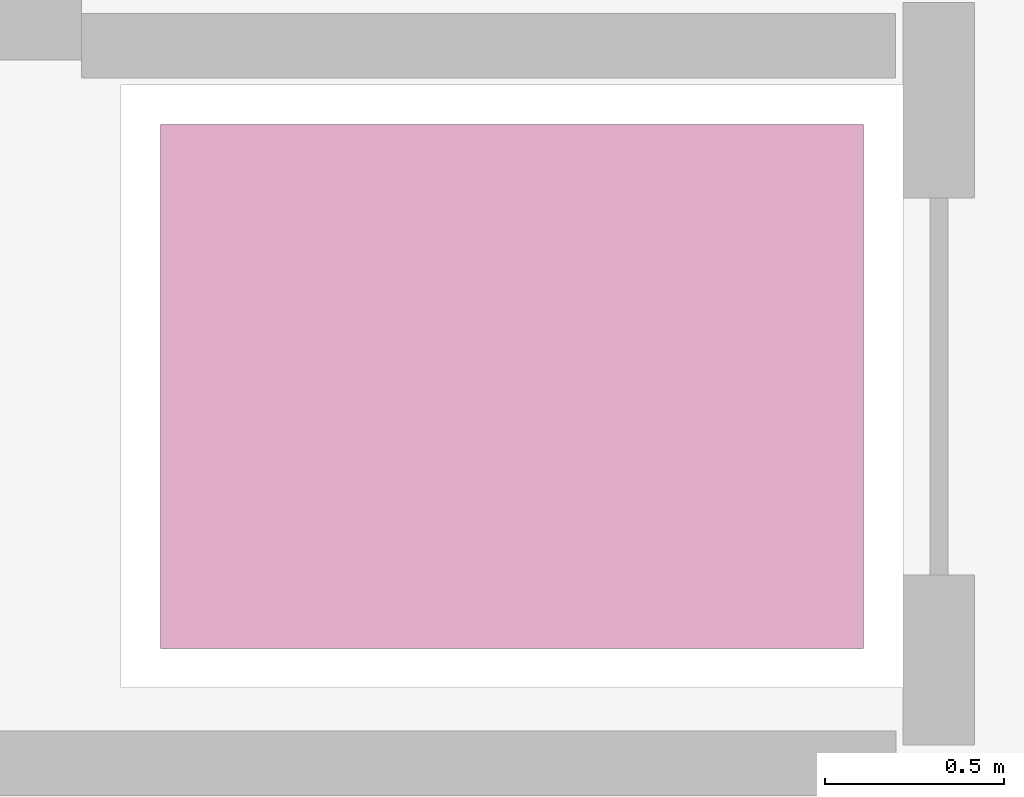
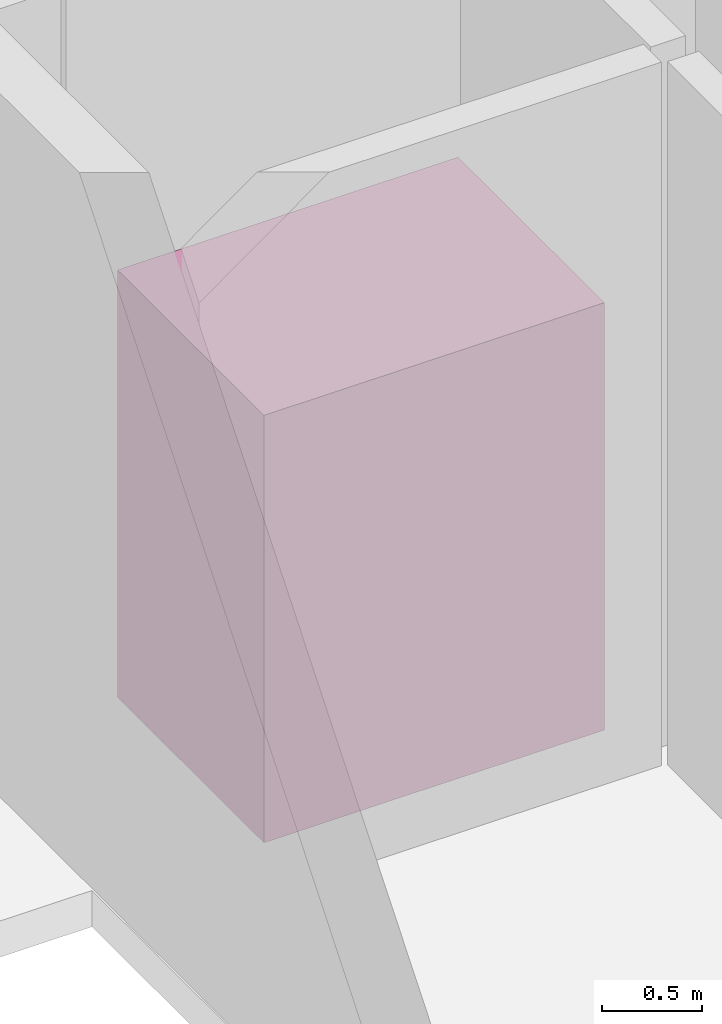
# One storey, part 14 of 14: 1 transport element.
"""IFC4 building model written with IfcOpenShell, lengths in metres."""

import ifcopenshell
import ifcopenshell.guid

model = None  # the IFC model being written
_history = None  # IfcOwnerHistory: only IFC2X3 demands one
_inside = {}  # id of a spatial element -> (the spatial element, [elements in it])
_under = {}  # id of a project, library or spatial element -> (it, [spatial elements below it])
_declared = {}  # id of a project -> (the project, [libraries it declares])
_typed = {}  # id of a type object -> (the type object, [elements of that type])
_made_of = {}  # id of a material, layer set ... -> (it, [elements and type objects made of it])


def new_model(schema):
    """Start an empty IFC model of exactly this schema.

    Asked for "IFC4X3", IfcOpenShell would pick the latest addendum, in which some entities
    have other attributes; the version numbers below select the first issue.
    IFC2X3 requires an IfcOwnerHistory on every rooted entity: one is made here for all.
    """
    global model, _history
    if schema == "IFC4X3":
        model = ifcopenshell.file(schema_version=(4, 3, 0, 0))
    else:
        model = ifcopenshell.file(schema=schema)
    _inside.clear()
    _under.clear()
    _declared.clear()
    _typed.clear()
    _made_of.clear()
    _history = None
    if model.schema == "IFC2X3":
        org = make("IfcOrganization", Name="unknown")
        user = make(
            "IfcPersonAndOrganization",
            ThePerson=make("IfcPerson", FamilyName="unknown"),
            TheOrganization=org,
        )
        app = make(
            "IfcApplication",
            ApplicationDeveloper=org,
            Version="unknown",
            ApplicationFullName="unknown",
            ApplicationIdentifier="unknown",
        )
        _history = make(
            "IfcOwnerHistory",
            OwningUser=user,
            OwningApplication=app,
            ChangeAction="ADDED",
            CreationDate=0,
        )
    return model


def make(cls, **values):
    """One entity of the class cls with the attributes given. An attribute that is None is left unset."""
    return model.create_entity(
        cls, **{name: value for name, value in values.items() if value is not None}
    )


def rooted(cls, **values):
    """An entity with a GlobalId (a new one), such as an element, a storey or a relation."""
    return make(cls, GlobalId=ifcopenshell.guid.new(), OwnerHistory=_history, **values)


def si_unit(unit_type, name, prefix=None):
    """IfcSIUnit, for example si_unit("LENGTHUNIT", "METRE", prefix="MILLI")."""
    return make("IfcSIUnit", UnitType=unit_type, Prefix=prefix, Name=name)


def assignment(units):
    """IfcUnitAssignment: the units of a project."""
    return None if units is None else make("IfcUnitAssignment", Units=units)


def point(xyz):
    """IfcCartesianPoint."""
    return None if xyz is None else make("IfcCartesianPoint", Coordinates=xyz)


def direction(xyz):
    """IfcDirection."""
    return None if xyz is None else make("IfcDirection", DirectionRatios=xyz)


def frame(location, z_axis=None, x_axis=None):
    """IfcAxis2Placement3D, a coordinate frame: its origin and axes. An axis left out is left unset."""
    return make(
        "IfcAxis2Placement3D",
        Location=point(location),
        Axis=direction(z_axis),
        RefDirection=direction(x_axis),
    )


def frame_2d(location, x_axis=None):
    """IfcAxis2Placement2D, a coordinate frame in the plane: its origin and x axis."""
    return make(
        "IfcAxis2Placement2D", Location=point(location), RefDirection=direction(x_axis)
    )


def origin():
    """The frame at (0, 0, 0) with its axes left unset."""
    return frame((0.0, 0.0, 0.0))


def origin_2d():
    """The frame at (0, 0) in the plane with its x axis left unset."""
    return frame_2d((0.0, 0.0))


def place(relative_to, where):
    """IfcLocalPlacement: puts the frame where relative to a parent placement (None: the world)."""
    return make(
        "IfcLocalPlacement", PlacementRelTo=relative_to, RelativePlacement=where
    )


def context(
    kind, dimensions, precision=None, world=None, true_north=None, identifier=None
):
    """IfcGeometricRepresentationContext, for example the 3D "Model" context."""
    return make(
        "IfcGeometricRepresentationContext",
        ContextIdentifier=identifier,
        ContextType=kind,
        CoordinateSpaceDimension=dimensions,
        Precision=precision,
        WorldCoordinateSystem=world,
        TrueNorth=true_north,
    )


def subcontext(parent, identifier, kind, view, scale=None):
    """IfcGeometricRepresentationSubContext, for example "Body" below "Model"."""
    return make(
        "IfcGeometricRepresentationSubContext",
        ContextIdentifier=identifier,
        ContextType=kind,
        ParentContext=parent,
        TargetScale=scale,
        TargetView=view,
    )


def project(units=None, contexts=None):
    """IfcProject with its units and contexts."""
    return rooted(
        "IfcProject",
        Name="project",
        RepresentationContexts=contexts,
        UnitsInContext=assignment(units),
    )


def spatial(cls, under=None, at=None, **own):
    """A site, building, storey or space (cls), placed at a placement, below another one or the project."""
    s = rooted(cls, ObjectPlacement=at, **own)
    if under is not None:
        _under.setdefault(under.id(), (under, []))[1].append(s)
    return s


def profile(cls, at=None, kind="AREA", **sizes):
    """A parametric profile (cls). Its sizes go by their IFC names, for example OverallWidth=200.0."""
    return make(cls, ProfileType=kind, Position=at, **sizes)


def rectangle(**sizes):
    """IfcRectangleProfileDef."""
    return profile("IfcRectangleProfileDef", **sizes)


def extrude(swept, where, along, depth):
    """IfcExtrudedAreaSolid: the profile swept, set in the frame where, extruded along a direction by depth."""
    return make(
        "IfcExtrudedAreaSolid",
        SweptArea=swept,
        Position=where,
        ExtrudedDirection=direction(along),
        Depth=depth,
    )


def shape(context_of_items, identifier, shape_type, items):
    """IfcShapeRepresentation: the items that make up one representation, for example the "Body"."""
    return make(
        "IfcShapeRepresentation",
        ContextOfItems=context_of_items,
        RepresentationIdentifier=identifier,
        RepresentationType=shape_type,
        Items=items,
    )


def material(Name=None, Category=None):
    """IfcMaterial."""
    return make("IfcMaterial", Name=Name, Category=Category)


def made_of(thing, what):
    """Note that an element or type object is made of a material, layer set ...; save() writes the relation."""
    if what is not None:
        _made_of.setdefault(what.id(), (what, []))[1].append(thing)
    return thing


def type_object(cls, material=None, **own):
    """A type object (cls), such as IfcWallType, which elements share."""
    return made_of(rooted(cls, **own), material)


def element(
    cls,
    number,
    at=None,
    inside=None,
    cuts=None,
    type_object=None,
    material=None,
    context=None,
    identifier="Body",
    shape_type=None,
    held_by="IfcProductDefinitionShape",
    body=None,
    shapes=None,
    **own,
):
    """One element of the class cls, such as IfcWall. Its Tag is "e" and its number.

    at: its placement. inside: the storey or other place that contains it. cuts: it is an
    opening in that element (IfcRelVoidsElement). A single representation is given by context,
    identifier, shape_type and body (its items); several are given by shapes. held_by: the class
    of the entity that holds the representations. save() writes the other relations.
    """
    e = rooted(cls, Tag="e%d" % number, ObjectPlacement=at, **own)
    if body is not None:
        shapes = [shape(context, identifier, shape_type, body)]
    if shapes is not None:
        e.Representation = make(held_by, Representations=shapes)
    if inside is not None:
        _inside.setdefault(inside.id(), (inside, []))[1].append(e)
    if cuts is not None:
        rooted(
            "IfcRelVoidsElement", RelatingBuildingElement=cuts, RelatedOpeningElement=e
        )
    if type_object is not None:
        _typed.setdefault(type_object.id(), (type_object, []))[1].append(e)
    return made_of(e, material)


def aggregate(whole, parts):
    """IfcRelAggregates: a whole, such as a stair, and the parts it consists of."""
    return rooted("IfcRelAggregates", RelatingObject=whole, RelatedObjects=parts)


def save(model, path):
    """Write the relations noted so far, then the file.

    IfcRelAggregates (storeys below a building ...), IfcRelContainedInSpatialStructure (elements
    in a storey), IfcRelDefinesByType, IfcRelAssociatesMaterial and IfcRelDeclares: one each for
    every whole, place, type object, material and project.
    """
    for whole, parts in _under.values():
        aggregate(whole, parts)
    for where, things in _inside.values():
        rooted(
            "IfcRelContainedInSpatialStructure",
            RelatedElements=things,
            RelatingStructure=where,
        )
    for kind, things in _typed.values():
        rooted("IfcRelDefinesByType", RelatedObjects=things, RelatingType=kind)
    for what, things in _made_of.values():
        rooted("IfcRelAssociatesMaterial", RelatedObjects=things, RelatingMaterial=what)
    for by, libraries in _declared.values():
        rooted("IfcRelDeclares", RelatingContext=by, RelatedDefinitions=libraries)
    model.write(path)


model = new_model("IFC4")

# Units and contexts
model_context = context("Model", 3, precision=1e-05, world=origin(), true_north=direction((0.0, 1.0)))
body_context = subcontext(model_context, "Body", "Model", "MODEL_VIEW")
ifc_project = project(units=[si_unit("LENGTHUNIT", "METRE"), si_unit("AREAUNIT", "SQUARE_METRE"), si_unit("VOLUMEUNIT", "CUBIC_METRE"), si_unit("PLANEANGLEUNIT", "RADIAN"), si_unit("MASSUNIT", "GRAM", prefix="KILO")], contexts=[model_context])

# Site, building, storey
site_placement = place(None, origin())
site = spatial("IfcSite", under=ifc_project, at=site_placement, CompositionType="ELEMENT")
building_placement = place(site_placement, origin())
building = spatial("IfcBuilding", under=site, at=building_placement, Name="Oramaril Tower", CompositionType="ELEMENT")
storey_placement = place(building_placement, frame((0.0, 0.0, 204.60009765625)))
storey = spatial("IfcBuildingStorey", under=building, at=storey_placement, Name="L54", CompositionType="ELEMENT", Elevation=204.60009765625)

# Transport element
ifc_material = material(Name="Stainless Steel 316L", Category="steel")
transport_element_type = type_object("IfcTransportElementType", Name="LFT-PAX", PredefinedType="ELEVATOR", material=ifc_material)
transport_element_placement = place(storey_placement, frame((35.14990234375, 18.25, -0.000244140625), z_axis=(0.0, 0.0, 1.0), x_axis=(1.0, 0.0, 0.0)))
element("IfcTransportElement", 1, at=transport_element_placement, inside=storey, type_object=transport_element_type, Name="Elevator Car LP-H1", PredefinedType="ELEVATOR", context=body_context, shape_type="SweptSolid", body=[
    extrude(rectangle(XDim=1.9599609375, YDim=1.4599609375, at=origin_2d()), origin(), (0.0, 0.0, 1.0), 2.60009765625),
])

save(model, "model.ifc")
